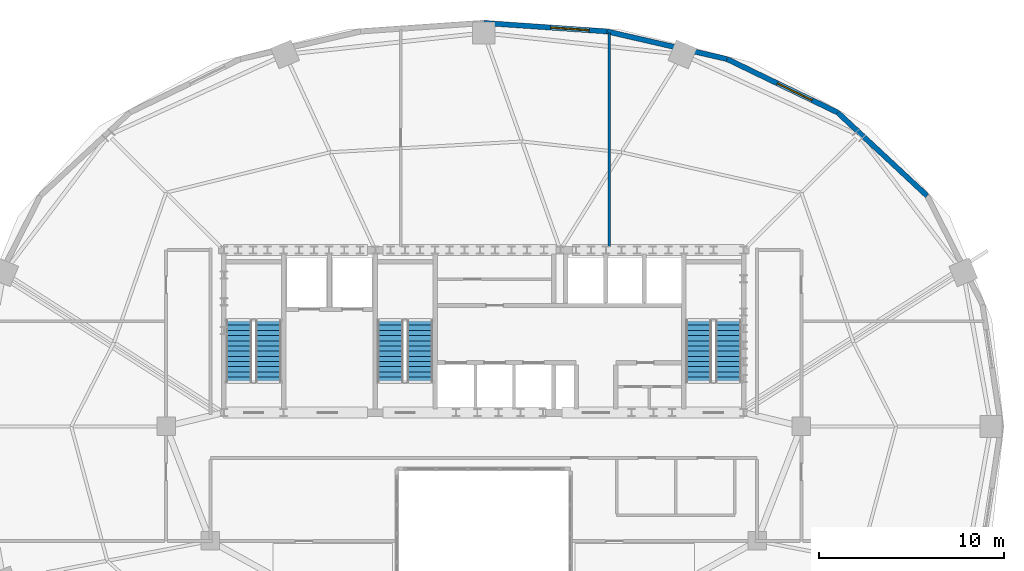
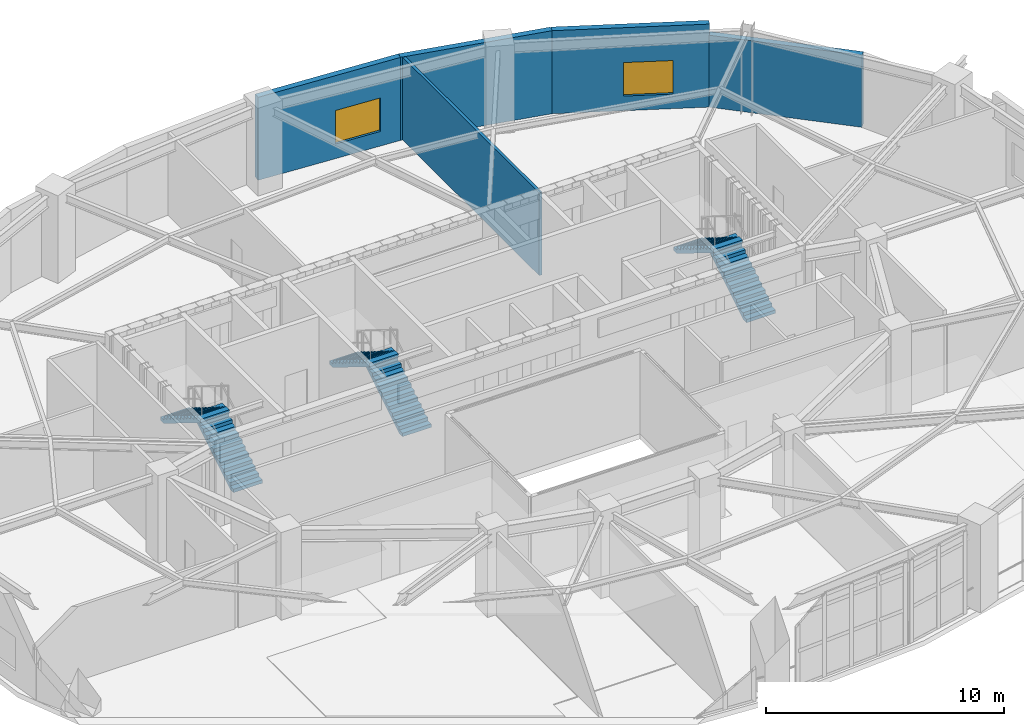
# One storey, part 11 of 13: 6 stair flights, 5 walls, 2 windows, 2 openings, 3 elements without a shape of their own.
"""IFC4 building model written with IfcOpenShell, lengths in metres."""

import ifcopenshell
import ifcopenshell.guid

model = None  # the IFC model being written
_history = None  # IfcOwnerHistory: only IFC2X3 demands one
_inside = {}  # id of a spatial element -> (the spatial element, [elements in it])
_under = {}  # id of a project, library or spatial element -> (it, [spatial elements below it])
_declared = {}  # id of a project -> (the project, [libraries it declares])
_typed = {}  # id of a type object -> (the type object, [elements of that type])
_made_of = {}  # id of a material, layer set ... -> (it, [elements and type objects made of it])


def new_model(schema):
    """Start an empty IFC model of exactly this schema.

    Asked for "IFC4X3", IfcOpenShell would pick the latest addendum, in which some entities
    have other attributes; the version numbers below select the first issue.
    IFC2X3 requires an IfcOwnerHistory on every rooted entity: one is made here for all.
    """
    global model, _history
    if schema == "IFC4X3":
        model = ifcopenshell.file(schema_version=(4, 3, 0, 0))
    else:
        model = ifcopenshell.file(schema=schema)
    _inside.clear()
    _under.clear()
    _declared.clear()
    _typed.clear()
    _made_of.clear()
    _history = None
    if model.schema == "IFC2X3":
        org = make("IfcOrganization", Name="unknown")
        user = make(
            "IfcPersonAndOrganization",
            ThePerson=make("IfcPerson", FamilyName="unknown"),
            TheOrganization=org,
        )
        app = make(
            "IfcApplication",
            ApplicationDeveloper=org,
            Version="unknown",
            ApplicationFullName="unknown",
            ApplicationIdentifier="unknown",
        )
        _history = make(
            "IfcOwnerHistory",
            OwningUser=user,
            OwningApplication=app,
            ChangeAction="ADDED",
            CreationDate=0,
        )
    return model


def make(cls, **values):
    """One entity of the class cls with the attributes given. An attribute that is None is left unset."""
    return model.create_entity(
        cls, **{name: value for name, value in values.items() if value is not None}
    )


def rooted(cls, **values):
    """An entity with a GlobalId (a new one), such as an element, a storey or a relation."""
    return make(cls, GlobalId=ifcopenshell.guid.new(), OwnerHistory=_history, **values)


def si_unit(unit_type, name, prefix=None):
    """IfcSIUnit, for example si_unit("LENGTHUNIT", "METRE", prefix="MILLI")."""
    return make("IfcSIUnit", UnitType=unit_type, Prefix=prefix, Name=name)


def assignment(units):
    """IfcUnitAssignment: the units of a project."""
    return None if units is None else make("IfcUnitAssignment", Units=units)


def point(xyz):
    """IfcCartesianPoint."""
    return None if xyz is None else make("IfcCartesianPoint", Coordinates=xyz)


def direction(xyz):
    """IfcDirection."""
    return None if xyz is None else make("IfcDirection", DirectionRatios=xyz)


def frame(location, z_axis=None, x_axis=None):
    """IfcAxis2Placement3D, a coordinate frame: its origin and axes. An axis left out is left unset."""
    return make(
        "IfcAxis2Placement3D",
        Location=point(location),
        Axis=direction(z_axis),
        RefDirection=direction(x_axis),
    )


def frame_2d(location, x_axis=None):
    """IfcAxis2Placement2D, a coordinate frame in the plane: its origin and x axis."""
    return make(
        "IfcAxis2Placement2D", Location=point(location), RefDirection=direction(x_axis)
    )


def origin():
    """The frame at (0, 0, 0) with its axes left unset."""
    return frame((0.0, 0.0, 0.0))


def place(relative_to, where):
    """IfcLocalPlacement: puts the frame where relative to a parent placement (None: the world)."""
    return make(
        "IfcLocalPlacement", PlacementRelTo=relative_to, RelativePlacement=where
    )


def context(
    kind, dimensions, precision=None, world=None, true_north=None, identifier=None
):
    """IfcGeometricRepresentationContext, for example the 3D "Model" context."""
    return make(
        "IfcGeometricRepresentationContext",
        ContextIdentifier=identifier,
        ContextType=kind,
        CoordinateSpaceDimension=dimensions,
        Precision=precision,
        WorldCoordinateSystem=world,
        TrueNorth=true_north,
    )


def subcontext(parent, identifier, kind, view, scale=None):
    """IfcGeometricRepresentationSubContext, for example "Body" below "Model"."""
    return make(
        "IfcGeometricRepresentationSubContext",
        ContextIdentifier=identifier,
        ContextType=kind,
        ParentContext=parent,
        TargetScale=scale,
        TargetView=view,
    )


def project(units=None, contexts=None):
    """IfcProject with its units and contexts."""
    return rooted(
        "IfcProject",
        Name="project",
        RepresentationContexts=contexts,
        UnitsInContext=assignment(units),
    )


def spatial(cls, under=None, at=None, **own):
    """A site, building, storey or space (cls), placed at a placement, below another one or the project."""
    s = rooted(cls, ObjectPlacement=at, **own)
    if under is not None:
        _under.setdefault(under.id(), (under, []))[1].append(s)
    return s


def polyline(points):
    """IfcPolyline through the points."""
    return make("IfcPolyline", Points=[point(p) for p in points])


def profile(cls, at=None, kind="AREA", **sizes):
    """A parametric profile (cls). Its sizes go by their IFC names, for example OverallWidth=200.0."""
    return make(cls, ProfileType=kind, Position=at, **sizes)


def rectangle(**sizes):
    """IfcRectangleProfileDef."""
    return profile("IfcRectangleProfileDef", **sizes)


def outline(outer, holes=None, kind="AREA"):
    """IfcArbitraryClosedProfileDef: a profile drawn as a closed curve; with holes, ...WithVoids."""
    if holes is None:
        return make("IfcArbitraryClosedProfileDef", ProfileType=kind, OuterCurve=outer)
    return make(
        "IfcArbitraryProfileDefWithVoids",
        ProfileType=kind,
        OuterCurve=outer,
        InnerCurves=holes,
    )


def extrude(swept, where, along, depth):
    """IfcExtrudedAreaSolid: the profile swept, set in the frame where, extruded along a direction by depth."""
    return make(
        "IfcExtrudedAreaSolid",
        SweptArea=swept,
        Position=where,
        ExtrudedDirection=direction(along),
        Depth=depth,
    )


def shape(context_of_items, identifier, shape_type, items):
    """IfcShapeRepresentation: the items that make up one representation, for example the "Body"."""
    return make(
        "IfcShapeRepresentation",
        ContextOfItems=context_of_items,
        RepresentationIdentifier=identifier,
        RepresentationType=shape_type,
        Items=items,
    )


def material(Name=None, Category=None):
    """IfcMaterial."""
    return make("IfcMaterial", Name=Name, Category=Category)


def layer(
    of_material, thickness, ventilated=None, Name=None, Category=None, Priority=None
):
    """IfcMaterialLayer: one layer of a wall or slab, of a material (None: an air gap)."""
    return make(
        "IfcMaterialLayer",
        Material=of_material,
        LayerThickness=thickness,
        IsVentilated=ventilated,
        Name=Name,
        Category=Category,
        Priority=Priority,
    )


def layer_set(layers, Name=None):
    """IfcMaterialLayerSet."""
    return make("IfcMaterialLayerSet", MaterialLayers=layers, LayerSetName=Name)


def made_of(thing, what):
    """Note that an element or type object is made of a material, layer set ...; save() writes the relation."""
    if what is not None:
        _made_of.setdefault(what.id(), (what, []))[1].append(thing)
    return thing


def type_object(cls, material=None, **own):
    """A type object (cls), such as IfcWallType, which elements share."""
    return made_of(rooted(cls, **own), material)


def element(
    cls,
    number,
    at=None,
    inside=None,
    cuts=None,
    type_object=None,
    material=None,
    context=None,
    identifier="Body",
    shape_type=None,
    held_by="IfcProductDefinitionShape",
    body=None,
    shapes=None,
    **own,
):
    """One element of the class cls, such as IfcWall. Its Tag is "e" and its number.

    at: its placement. inside: the storey or other place that contains it. cuts: it is an
    opening in that element (IfcRelVoidsElement). A single representation is given by context,
    identifier, shape_type and body (its items); several are given by shapes. held_by: the class
    of the entity that holds the representations. save() writes the other relations.
    """
    e = rooted(cls, Tag="e%d" % number, ObjectPlacement=at, **own)
    if body is not None:
        shapes = [shape(context, identifier, shape_type, body)]
    if shapes is not None:
        e.Representation = make(held_by, Representations=shapes)
    if inside is not None:
        _inside.setdefault(inside.id(), (inside, []))[1].append(e)
    if cuts is not None:
        rooted(
            "IfcRelVoidsElement", RelatingBuildingElement=cuts, RelatedOpeningElement=e
        )
    if type_object is not None:
        _typed.setdefault(type_object.id(), (type_object, []))[1].append(e)
    return made_of(e, material)


def fill(opening, filler):
    """IfcRelFillsElement: the door or window that sits in an opening."""
    return rooted(
        "IfcRelFillsElement",
        RelatingOpeningElement=opening,
        RelatedBuildingElement=filler,
    )


def aggregate(whole, parts):
    """IfcRelAggregates: a whole, such as a stair, and the parts it consists of."""
    return rooted("IfcRelAggregates", RelatingObject=whole, RelatedObjects=parts)


def save(model, path):
    """Write the relations noted so far, then the file.

    IfcRelAggregates (storeys below a building ...), IfcRelContainedInSpatialStructure (elements
    in a storey), IfcRelDefinesByType, IfcRelAssociatesMaterial and IfcRelDeclares: one each for
    every whole, place, type object, material and project.
    """
    for whole, parts in _under.values():
        aggregate(whole, parts)
    for where, things in _inside.values():
        rooted(
            "IfcRelContainedInSpatialStructure",
            RelatedElements=things,
            RelatingStructure=where,
        )
    for kind, things in _typed.values():
        rooted("IfcRelDefinesByType", RelatedObjects=things, RelatingType=kind)
    for what, things in _made_of.values():
        rooted("IfcRelAssociatesMaterial", RelatedObjects=things, RelatingMaterial=what)
    for by, libraries in _declared.values():
        rooted("IfcRelDeclares", RelatingContext=by, RelatedDefinitions=libraries)
    model.write(path)


model = new_model("IFC4")

# Units and contexts
model_context = context("Model", 3, precision=1e-05, world=origin(), true_north=direction((0.0, 1.0)))
body_context = subcontext(model_context, "Body", "Model", "MODEL_VIEW")
ifc_project = project(units=[si_unit("LENGTHUNIT", "METRE"), si_unit("AREAUNIT", "SQUARE_METRE"), si_unit("VOLUMEUNIT", "CUBIC_METRE"), si_unit("PLANEANGLEUNIT", "RADIAN"), si_unit("MASSUNIT", "GRAM", prefix="KILO")], contexts=[model_context])

# Site, building, storey
site_placement = place(None, origin())
site = spatial("IfcSite", under=ifc_project, at=site_placement, CompositionType="ELEMENT")
building_placement = place(site_placement, origin())
building = spatial("IfcBuilding", under=site, at=building_placement, Name="Haldorwick Loom Tower", CompositionType="ELEMENT")
storey_placement = place(building_placement, frame((0.0, 0.0, 188.949951171875)))
storey = spatial("IfcBuildingStorey", under=building, at=storey_placement, Name="L51", CompositionType="ELEMENT", Elevation=188.949951171875)

# Wall
ifc_material_1 = material(Name="Pressed Clay Face Brick and Insulated Masonry Backup Assembly", Category="masonry")
ifc_layer_1 = layer(ifc_material_1, 0.280029296875, Name="Pressed Clay Face Brick and Insulated Masonry Backup Assembly", Category="masonry")
ifc_layer_set_1 = layer_set([ifc_layer_1], Name="Pressed Clay Face Brick and Insulated Masonry Backup Assembly")
wall_type_1 = type_object("IfcWallType", Name="ARC-WL-EXT280", PredefinedType="STANDARD", material=ifc_layer_set_1)
wall_1_placement = place(storey_placement, frame((60.005615234375, 38.4853515625, 0.0), z_axis=(0.0, 0.0, 1.0), x_axis=(-0.731833707499, 0.681483253329, 0.0)))
element("IfcWall", 1, at=wall_1_placement, inside=storey, type_object=wall_type_1, Name="L51 Brick Pier and Spandrel Wall 3", PredefinedType="STANDARD", context=body_context, shape_type="SweptSolid", body=[
    extrude(rectangle(XDim=6.61865234375, YDim=0.280029296875, at=frame_2d((3.309326171875, 0.0))), origin(), (0.0, 0.0, 1.0), 3.691162109375),
])

# Wall, opening, window
wall_2_placement = place(storey_placement, frame((55.161865234375, 42.995849609375, 0.0), z_axis=(0.0, 0.0, 1.0), x_axis=(-0.900371236029, 0.435122554381, 0.0)))
wall_2 = element("IfcWall", 2, at=wall_2_placement, inside=storey, type_object=wall_type_1, Name="L51 Brick Pier and Spandrel Wall 4", PredefinedType="STANDARD", context=body_context, shape_type="SweptSolid", body=[
    extrude(rectangle(XDim=6.6533203125, YDim=0.280029296875, at=frame_2d((3.32666015625, 0.0))), origin(), (0.0, 0.0, 1.0), 4.260009765625),
])
opening_1_placement = place(wall_2_placement, frame((1.53173828125, 0.0, 0.75)))
opening_1 = element("IfcOpeningElement", 3, at=opening_1_placement, cuts=wall_2, Name="Opening W-04", PredefinedType="OPENING", context=body_context, shape_type="SweptSolid", body=[
    extrude(rectangle(XDim=2.10009765625, YDim=1.719970703125, at=frame_2d((1.050048828125, 0.85986328125))), frame((0.0, 0.14990234375, 0.0), z_axis=(0.0, -1.0, 0.0), x_axis=(1.0, 0.0, 0.0)), (0.0, 0.0, 1.0), 0.300048828125),
])
ifc_material_2 = material(Name="Triple-Glazed Low-E Argon Insulated Glazing Unit", Category="glass")
window_type = type_object("IfcWindowType", Name="ARC-WIN-W210", PartitioningType="SINGLE_PANEL", PredefinedType="WINDOW", material=ifc_material_2)
window_1_placement = place(opening_1_placement, origin())
window_1 = element("IfcWindow", 4, at=window_1_placement, inside=storey, type_object=window_type, Name="L51 Deep-Set Zone 7A Window 4", OverallHeight=1.719970703125, OverallWidth=2.10009765625, PartitioningType="SINGLE_PANEL", PredefinedType="WINDOW", context=body_context, shape_type="SweptSolid", body=[
    extrude(rectangle(XDim=2.10009765625, YDim=1.719970703125, at=frame_2d((1.050048828125, 0.85986328125))), frame((0.0, 0.030029296875, 0.0), z_axis=(0.0, -1.0, 0.0), x_axis=(1.0, 0.0, 0.0)), (0.0, 0.0, 1.0), 0.06005859375),
])
fill(opening_1, window_1)

# Wall
wall_3_placement = place(storey_placement, frame((49.17138671875, 45.890869140625, 0.0), z_axis=(0.0, 0.0, 1.0), x_axis=(-0.974557343474, 0.224138315065, 0.0)))
element("IfcWall", 5, at=wall_3_placement, inside=storey, type_object=wall_type_1, Name="L51 Brick Pier and Spandrel Wall 5", PredefinedType="STANDARD", context=body_context, shape_type="SweptSolid", body=[
    extrude(rectangle(XDim=6.676025390625, YDim=0.280029296875, at=frame_2d((3.337890625, 0.0))), origin(), (0.0, 0.0, 1.0), 4.260009765625),
])

# Wall, opening, window
wall_4_placement = place(storey_placement, frame((42.665283203125, 47.38720703125, 0.0), z_axis=(0.0, 0.0, 1.0), x_axis=(-0.99764992135, 0.068517402386, 0.0)))
wall_4 = element("IfcWall", 6, at=wall_4_placement, inside=storey, type_object=wall_type_1, Name="L51 Brick Pier and Spandrel Wall 6", PredefinedType="STANDARD", context=body_context, shape_type="SweptSolid", body=[
    extrude(rectangle(XDim=6.680908203125, YDim=0.280029296875, at=frame_2d((3.34033203125, 0.0))), origin(), (0.0, 0.0, 1.0), 4.260009765625),
])
opening_2_placement = place(wall_4_placement, frame((0.954345703125, 0.0, 0.75)))
opening_2 = element("IfcOpeningElement", 7, at=opening_2_placement, cuts=wall_4, Name="Opening W-04", PredefinedType="OPENING", context=body_context, shape_type="SweptSolid", body=[
    extrude(rectangle(XDim=2.10009765625, YDim=1.719970703125, at=frame_2d((1.050048828125, 0.85986328125))), frame((0.0, 0.14990234375, 0.0), z_axis=(0.0, -1.0, 0.0), x_axis=(1.0, 0.0, 0.0)), (0.0, 0.0, 1.0), 0.300048828125),
])
window_2_placement = place(opening_2_placement, origin())
window_2 = element("IfcWindow", 8, at=window_2_placement, inside=storey, type_object=window_type, Name="L51 Deep-Set Zone 7A Window 6", OverallHeight=1.719970703125, OverallWidth=2.10009765625, PartitioningType="SINGLE_PANEL", PredefinedType="WINDOW", context=body_context, shape_type="SweptSolid", body=[
    extrude(rectangle(XDim=2.10009765625, YDim=1.719970703125, at=frame_2d((1.050048828125, 0.85986328125))), frame((0.0, 0.030029296875, 0.0), z_axis=(0.0, -1.0, 0.0), x_axis=(1.0, 0.0, 0.0)), (0.0, 0.0, 1.0), 0.06005859375),
])
fill(opening_2, window_2)

# Wall
ifc_material_3 = material(Name="Fire-Rated Type X Gypsum Stud Assembly EI 60")
ifc_layer_2 = layer(ifc_material_3, 0.139892578125, Name="Fire-Rated Type X Gypsum Stud Assembly EI 60")
ifc_layer_set_2 = layer_set([ifc_layer_2], Name="Fire-Rated Type X Gypsum Stud Assembly EI 60")
wall_type_2 = type_object("IfcWallType", Name="ARC-WL-PART140", PredefinedType="PARTITIONING", material=ifc_layer_set_2)
wall_5_placement = place(storey_placement, frame((42.800048828125, 35.7529296875, 0.0), z_axis=(0.0, 0.0, 1.0), x_axis=(0.0, 1.0, 0.0)))
element("IfcWall", 9, at=wall_5_placement, inside=storey, type_object=wall_type_2, Name="L51 Interior Partition L51-N-1", PredefinedType="PARTITIONING", context=body_context, shape_type="SweptSolid", body=[
    extrude(rectangle(XDim=11.55712890625, YDim=0.139892578125, at=frame_2d((5.778564453125, 0.0))), origin(), (0.0, 0.0, 1.0), 4.2451171875),
])

# Stair, stair flights
ifc_material_4 = material(Name="Concrete C40 (40 MPa)", Category="concrete")
stair_type = type_object("IfcStairType", Name="STR-STR-CORE", PredefinedType="HALF_TURN_STAIR", material=ifc_material_4)
stair_1_placement = place(storey_placement, origin())
stair_1 = element("IfcStair", 10, at=stair_1_placement, inside=storey, type_object=stair_type, Name="L51 Exit Stair ST-01", PredefinedType="HALF_TURN_STAIR")
stair_flight_type = type_object("IfcStairFlightType", Name="STR-STF-1250", PredefinedType="STRAIGHT", material=ifc_material_4)
stair_flight_1_placement = place(storey_placement, frame((24.35009765625, 28.39990234375, 0.0), z_axis=(0.0, 0.0, 1.0), x_axis=(0.0, 1.0, 0.0)))
stair_flight_1 = element("IfcStairFlight", 11, at=stair_flight_1_placement, type_object=stair_flight_type, Name="ST-01 flight 1", NumberOfRisers=13, NumberOfTreads=12, PredefinedType="STRAIGHT", RiserHeight=0.173076923, TreadLength=0.28, context=body_context, shape_type="SweptSolid", body=[
    extrude(outline(polyline([(0.0, 0.0), (0.0, 0.173095703125), (0.280029296875, 0.173095703125), (0.280029296875, 0.34619140625), (0.56005859375, 0.34619140625), (0.56005859375, 0.519287109375), (0.840087890625, 0.519287109375), (0.840087890625, 0.6923828125), (1.1201171875, 0.6923828125), (1.1201171875, 0.865478515625), (1.39990234375, 0.865478515625), (1.39990234375, 1.03857421875), (1.679931640625, 1.03857421875), (1.679931640625, 1.21142578125), (1.9599609375, 1.21142578125), (1.9599609375, 1.384521484375), (2.239990234375, 1.384521484375), (2.239990234375, 1.5576171875), (2.52001953125, 1.5576171875), (2.52001953125, 1.730712890625), (2.800048828125, 1.730712890625), (2.800048828125, 1.90380859375), (3.080078125, 1.90380859375), (3.080078125, 2.076904296875), (3.360107421875, 2.076904296875), (3.360107421875, 2.25), (3.360107421875, 1.900634765625), (0.28515625, 0.0), (0.0, 0.0)])), frame((0.0, 0.699951171875, 0.0), z_axis=(0.0, -1.0, 0.0), x_axis=(1.0, 0.0, 0.0)), (0.0, 0.0, 1.0), 1.39990234375),
])
stair_flight_2_placement = place(storey_placement, frame((22.75, 31.760009765625, 2.25), z_axis=(0.0, 0.0, 1.0), x_axis=(0.0, -1.0, 0.0)))
stair_flight_2 = element("IfcStairFlight", 12, at=stair_flight_2_placement, type_object=stair_flight_type, Name="ST-01 flight 2", NumberOfRisers=13, NumberOfTreads=12, PredefinedType="STRAIGHT", RiserHeight=0.173076923, TreadLength=0.28, context=body_context, shape_type="SweptSolid", body=[
    extrude(outline(polyline([(0.0, 0.0), (0.0, 0.173095703125), (0.280029296875, 0.173095703125), (0.280029296875, 0.34619140625), (0.56005859375, 0.34619140625), (0.56005859375, 0.519287109375), (0.840087890625, 0.519287109375), (0.840087890625, 0.6923828125), (1.1201171875, 0.6923828125), (1.1201171875, 0.865478515625), (1.39990234375, 0.865478515625), (1.39990234375, 1.03857421875), (1.679931640625, 1.03857421875), (1.679931640625, 1.21142578125), (1.9599609375, 1.21142578125), (1.9599609375, 1.384521484375), (2.239990234375, 1.384521484375), (2.239990234375, 1.5576171875), (2.52001953125, 1.5576171875), (2.52001953125, 1.730712890625), (2.800048828125, 1.730712890625), (2.800048828125, 1.90380859375), (3.080078125, 1.90380859375), (3.080078125, 2.076904296875), (3.360107421875, 2.076904296875), (3.360107421875, 2.25), (3.360107421875, 1.900634765625), (0.28515625, 0.0), (0.0, 0.0)])), frame((0.0, 0.699951171875, 0.0), z_axis=(0.0, -1.0, 0.0), x_axis=(1.0, 0.0, 0.0)), (0.0, 0.0, 1.0), 1.39990234375),
])
aggregate(stair_1, [stair_flight_1, stair_flight_2])

stair_2_placement = place(storey_placement, origin())
stair_2 = element("IfcStair", 13, at=stair_2_placement, inside=storey, type_object=stair_type, Name="L51 Exit Stair ST-02", PredefinedType="HALF_TURN_STAIR")
stair_flight_3_placement = place(storey_placement, frame((49.25, 28.39990234375, 0.0), z_axis=(0.0, 0.0, 1.0), x_axis=(0.0, 1.0, 0.0)))
stair_flight_3 = element("IfcStairFlight", 14, at=stair_flight_3_placement, type_object=stair_flight_type, Name="ST-02 flight 1", NumberOfRisers=13, NumberOfTreads=12, PredefinedType="STRAIGHT", RiserHeight=0.173076923, TreadLength=0.28, context=body_context, shape_type="SweptSolid", body=[
    extrude(outline(polyline([(0.0, 0.0), (0.0, 0.173095703125), (0.280029296875, 0.173095703125), (0.280029296875, 0.34619140625), (0.56005859375, 0.34619140625), (0.56005859375, 0.519287109375), (0.840087890625, 0.519287109375), (0.840087890625, 0.6923828125), (1.1201171875, 0.6923828125), (1.1201171875, 0.865478515625), (1.39990234375, 0.865478515625), (1.39990234375, 1.03857421875), (1.679931640625, 1.03857421875), (1.679931640625, 1.21142578125), (1.9599609375, 1.21142578125), (1.9599609375, 1.384521484375), (2.239990234375, 1.384521484375), (2.239990234375, 1.5576171875), (2.52001953125, 1.5576171875), (2.52001953125, 1.730712890625), (2.800048828125, 1.730712890625), (2.800048828125, 1.90380859375), (3.080078125, 1.90380859375), (3.080078125, 2.076904296875), (3.360107421875, 2.076904296875), (3.360107421875, 2.25), (3.360107421875, 1.900634765625), (0.28515625, 0.0), (0.0, 0.0)])), frame((0.0, 0.699951171875, 0.0), z_axis=(0.0, -1.0, 0.0), x_axis=(1.0, 0.0, 0.0)), (0.0, 0.0, 1.0), 1.39990234375),
])
stair_flight_4_placement = place(storey_placement, frame((47.64990234375, 31.760009765625, 2.25), z_axis=(0.0, 0.0, 1.0), x_axis=(0.0, -1.0, 0.0)))
stair_flight_4 = element("IfcStairFlight", 15, at=stair_flight_4_placement, type_object=stair_flight_type, Name="ST-02 flight 2", NumberOfRisers=13, NumberOfTreads=12, PredefinedType="STRAIGHT", RiserHeight=0.173076923, TreadLength=0.28, context=body_context, shape_type="SweptSolid", body=[
    extrude(outline(polyline([(0.0, 0.0), (0.0, 0.173095703125), (0.280029296875, 0.173095703125), (0.280029296875, 0.34619140625), (0.56005859375, 0.34619140625), (0.56005859375, 0.519287109375), (0.840087890625, 0.519287109375), (0.840087890625, 0.6923828125), (1.1201171875, 0.6923828125), (1.1201171875, 0.865478515625), (1.39990234375, 0.865478515625), (1.39990234375, 1.03857421875), (1.679931640625, 1.03857421875), (1.679931640625, 1.21142578125), (1.9599609375, 1.21142578125), (1.9599609375, 1.384521484375), (2.239990234375, 1.384521484375), (2.239990234375, 1.5576171875), (2.52001953125, 1.5576171875), (2.52001953125, 1.730712890625), (2.800048828125, 1.730712890625), (2.800048828125, 1.90380859375), (3.080078125, 1.90380859375), (3.080078125, 2.076904296875), (3.360107421875, 2.076904296875), (3.360107421875, 2.25), (3.360107421875, 1.900634765625), (0.28515625, 0.0), (0.0, 0.0)])), frame((0.0, 0.699951171875, 0.0), z_axis=(0.0, -1.0, 0.0), x_axis=(1.0, 0.0, 0.0)), (0.0, 0.0, 1.0), 1.39990234375),
])
aggregate(stair_2, [stair_flight_3, stair_flight_4])

stair_3_placement = place(storey_placement, origin())
stair_3 = element("IfcStair", 16, at=stair_3_placement, inside=storey, type_object=stair_type, Name="L51 Exit Stair ST-03", PredefinedType="HALF_TURN_STAIR")
stair_flight_5_placement = place(storey_placement, frame((32.550048828125, 28.39990234375, 0.0), z_axis=(0.0, 0.0, 1.0), x_axis=(0.0, 1.0, 0.0)))
stair_flight_5 = element("IfcStairFlight", 17, at=stair_flight_5_placement, type_object=stair_flight_type, Name="ST-03 flight 1", NumberOfRisers=13, NumberOfTreads=12, PredefinedType="STRAIGHT", RiserHeight=0.173076923, TreadLength=0.28, context=body_context, shape_type="SweptSolid", body=[
    extrude(outline(polyline([(0.0, 0.0), (0.0, 0.173095703125), (0.280029296875, 0.173095703125), (0.280029296875, 0.34619140625), (0.56005859375, 0.34619140625), (0.56005859375, 0.519287109375), (0.840087890625, 0.519287109375), (0.840087890625, 0.6923828125), (1.1201171875, 0.6923828125), (1.1201171875, 0.865478515625), (1.39990234375, 0.865478515625), (1.39990234375, 1.03857421875), (1.679931640625, 1.03857421875), (1.679931640625, 1.21142578125), (1.9599609375, 1.21142578125), (1.9599609375, 1.384521484375), (2.239990234375, 1.384521484375), (2.239990234375, 1.5576171875), (2.52001953125, 1.5576171875), (2.52001953125, 1.730712890625), (2.800048828125, 1.730712890625), (2.800048828125, 1.90380859375), (3.080078125, 1.90380859375), (3.080078125, 2.076904296875), (3.360107421875, 2.076904296875), (3.360107421875, 2.25), (3.360107421875, 1.900634765625), (0.28515625, 0.0), (0.0, 0.0)])), frame((0.0, 0.699951171875, 0.0), z_axis=(0.0, -1.0, 0.0), x_axis=(1.0, 0.0, 0.0)), (0.0, 0.0, 1.0), 1.39990234375),
])
stair_flight_6_placement = place(storey_placement, frame((30.949951171875, 31.760009765625, 2.25), z_axis=(0.0, 0.0, 1.0), x_axis=(0.0, -1.0, 0.0)))
stair_flight_6 = element("IfcStairFlight", 18, at=stair_flight_6_placement, type_object=stair_flight_type, Name="ST-03 flight 2", NumberOfRisers=13, NumberOfTreads=12, PredefinedType="STRAIGHT", RiserHeight=0.173076923, TreadLength=0.28, context=body_context, shape_type="SweptSolid", body=[
    extrude(outline(polyline([(0.0, 0.0), (0.0, 0.173095703125), (0.280029296875, 0.173095703125), (0.280029296875, 0.34619140625), (0.56005859375, 0.34619140625), (0.56005859375, 0.519287109375), (0.840087890625, 0.519287109375), (0.840087890625, 0.6923828125), (1.1201171875, 0.6923828125), (1.1201171875, 0.865478515625), (1.39990234375, 0.865478515625), (1.39990234375, 1.03857421875), (1.679931640625, 1.03857421875), (1.679931640625, 1.21142578125), (1.9599609375, 1.21142578125), (1.9599609375, 1.384521484375), (2.239990234375, 1.384521484375), (2.239990234375, 1.5576171875), (2.52001953125, 1.5576171875), (2.52001953125, 1.730712890625), (2.800048828125, 1.730712890625), (2.800048828125, 1.90380859375), (3.080078125, 1.90380859375), (3.080078125, 2.076904296875), (3.360107421875, 2.076904296875), (3.360107421875, 2.25), (3.360107421875, 1.900634765625), (0.28515625, 0.0), (0.0, 0.0)])), frame((0.0, 0.699951171875, 0.0), z_axis=(0.0, -1.0, 0.0), x_axis=(1.0, 0.0, 0.0)), (0.0, 0.0, 1.0), 1.39990234375),
])
aggregate(stair_3, [stair_flight_5, stair_flight_6])

save(model, "model.ifc")
